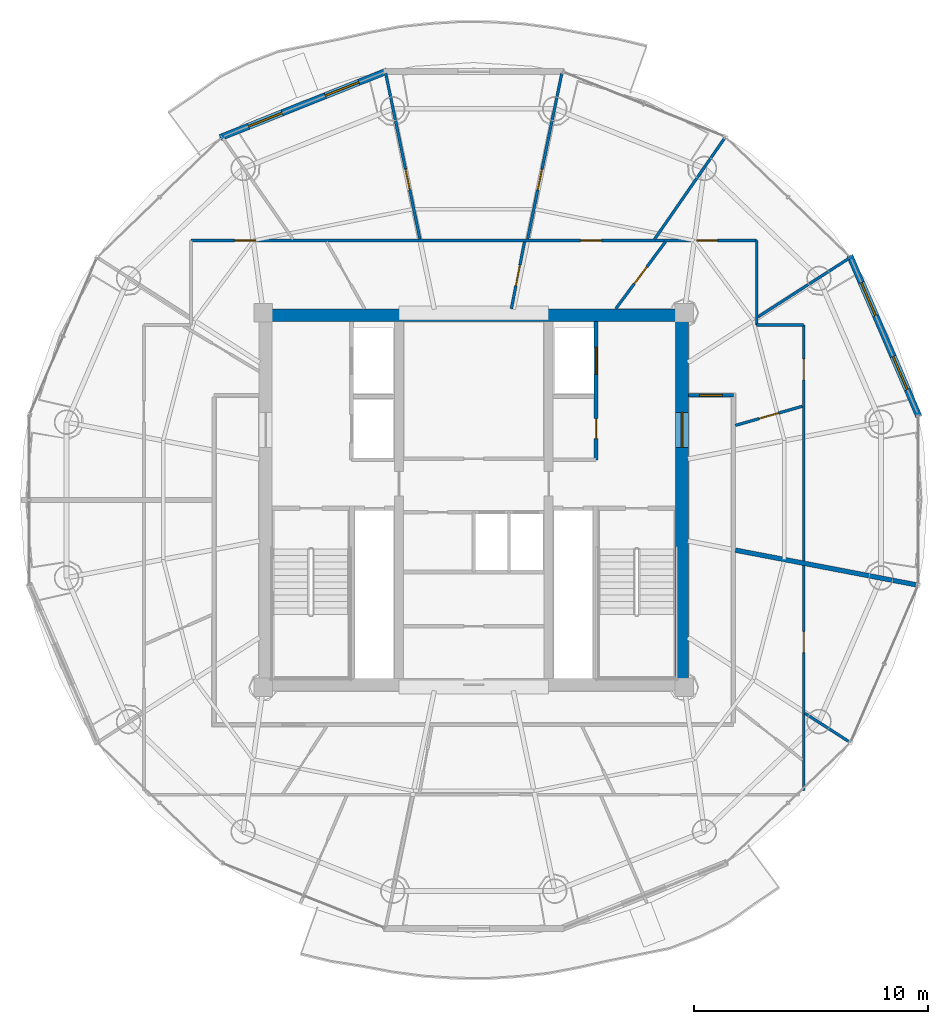
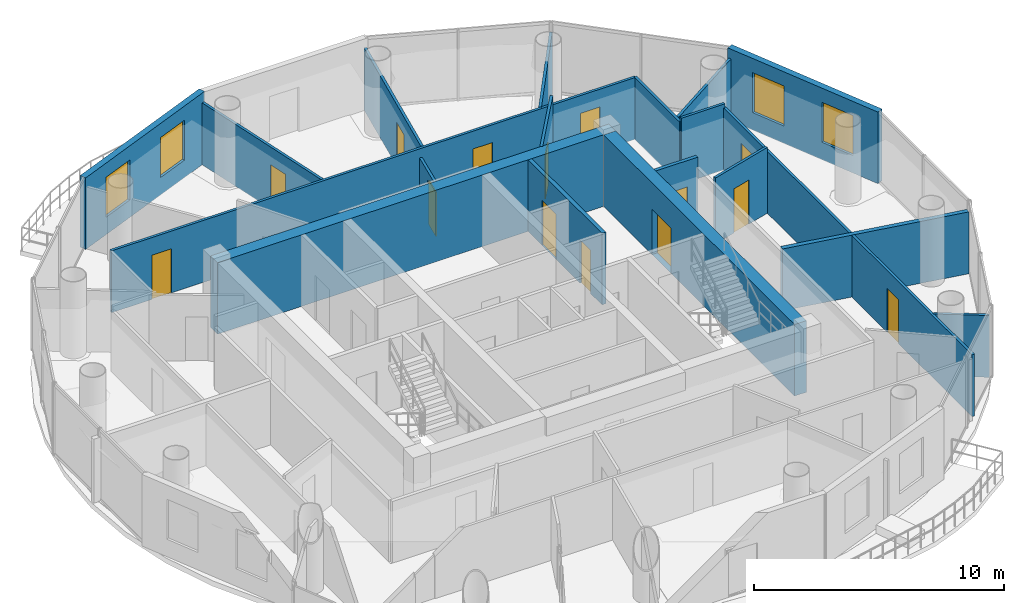
# One storey, part 19 of 24: 20 walls, 14 doors, 4 windows, 18 openings.
"""IFC4 building model written with IfcOpenShell, lengths in metres."""

from ifc_helpers import new_model, si_unit, direction, frame, frame_2d, origin, place, context, subcontext, project, spatial, rectangle, extrude, source, transform, mapped, material, layer, layer_set, type_object, element, fill, save


model = new_model("IFC4")

# Units and contexts
model_context = context("Model", 3, precision=1e-05, world=origin(), true_north=direction((-0.2419218956, 0.970295726276)))
body_context = subcontext(model_context, "Body", "Model", "MODEL_VIEW")
ifc_project = project(units=[si_unit("LENGTHUNIT", "METRE"), si_unit("AREAUNIT", "SQUARE_METRE"), si_unit("VOLUMEUNIT", "CUBIC_METRE"), si_unit("PLANEANGLEUNIT", "RADIAN"), si_unit("MASSUNIT", "GRAM", prefix="KILO")], contexts=[model_context])

# Site, building, storey
site_placement = place(None, origin())
site = spatial("IfcSite", under=ifc_project, at=site_placement, CompositionType="ELEMENT")
building_placement = place(site_placement, origin())
building = spatial("IfcBuilding", under=site, at=building_placement, Name="Cobrevalo Terracotta Tower", CompositionType="ELEMENT")
storey_placement = place(building_placement, frame((0.0, 0.0, 293.199951171875)))
storey = spatial("IfcBuildingStorey", under=building, at=storey_placement, Name="L77", CompositionType="ELEMENT", Elevation=293.199951171875)

# Wall
ifc_material_1 = material(Name="Concrete C50", Category="concrete")
ifc_layer_1 = layer(ifc_material_1, 0.550048828125)
ifc_layer_set_1 = layer_set([ifc_layer_1], Name="Concrete C50")
wall_type_1 = type_object("IfcWallType", Name="Core shear wall 550 mm Concrete C50", PredefinedType="SHEAR", material=ifc_layer_set_1)
wall_1_placement = place(storey_placement, frame((28.824951171875, 34.699951171875, 0.0), z_axis=(0.0, 0.0, 1.0), x_axis=(1.0, 0.0, 0.0)))
element("IfcWall", 1, at=wall_1_placement, inside=storey, type_object=wall_type_1, Name="L77 north core shear wall", PredefinedType="SHEAR", context=body_context, shape_type="SweptSolid", body=[
    extrude(rectangle(XDim=18.35009765625, YDim=0.550048828125, at=frame_2d((9.175048828125, 0.0))), origin(), (0.0, 0.0, 1.0), 3.489990234375),
])

# Wall, opening, door
wall_2_placement = place(storey_placement, frame((46.89990234375, 19.175048828125, 0.0), z_axis=(0.0, 0.0, 1.0), x_axis=(0.0, 1.0, 0.0)))
wall_2 = element("IfcWall", 2, at=wall_2_placement, inside=storey, type_object=wall_type_1, Name="L77 east core shear wall", PredefinedType="SHEAR", context=body_context, shape_type="SweptSolid", body=[
    extrude(rectangle(XDim=15.25, YDim=0.550048828125, at=frame_2d((7.625, 0.0))), origin(), (0.0, 0.0, 1.0), 3.489990234375),
])
opening_1_placement = place(wall_2_placement, frame((9.875, 0.0, 0.0)))
opening_1 = element("IfcOpeningElement", 3, at=opening_1_placement, cuts=wall_2, Name="Opening ID-14", PredefinedType="OPENING", context=body_context, shape_type="SweptSolid", body=[
    extrude(rectangle(XDim=1.5, YDim=2.199951171875, at=frame_2d((0.75, 1.10009765625))), frame((0.0, 0.28515625, 0.0), z_axis=(0.0, -1.0, 0.0), x_axis=(1.0, 0.0, 0.0)), (0.0, 0.0, 1.0), 0.570068359375),
])
ifc_material_2 = material(Name="Galvanized fire-rated steel", Category="steel")
door_type_1 = type_object("IfcDoorType", Name="Core cross-lobby double fire door 1500x2200 EI 90", OperationType="NOTDEFINED", PredefinedType="DOOR", material=ifc_material_2)
shared_shape_1 = source(origin(), body_context, "Body", "SweptSolid", [
    extrude(rectangle(XDim=1.5, YDim=2.199951171875, at=frame_2d((0.75, 1.10009765625))), frame((0.0, 0.02490234375, 0.0), z_axis=(0.0, -1.0, 0.0), x_axis=(1.0, 0.0, 0.0)), (0.0, 0.0, 1.0), 0.050048828125),
])
door_1_placement = place(opening_1_placement, frame((1.5, 0.0, 0.0), z_axis=(0.0, 0.0, 1.0), x_axis=(-1.0, 0.0, 0.0)))
door_1 = element("IfcDoor", 4, at=door_1_placement, inside=storey, type_object=door_type_1, Name="L77 east firefighting lobby entrance door", OperationType="DOUBLE_DOOR_SINGLE_SWING", OverallHeight=2.199951171875, OverallWidth=1.5, PredefinedType="DOOR", context=body_context, shape_type="MappedRepresentation", body=[
    mapped(shared_shape_1, transform((0.0, 0.0, 0.0), scale=1.0)),
])
fill(opening_1, door_1)

ifc_material_3 = material(Name="Gypsum board on steel stud", Category="steel")
ifc_layer_2 = layer(ifc_material_3, 0.159912109375)
ifc_layer_set_2 = layer_set([ifc_layer_2], Name="Gypsum board on steel stud")
wall_type_2 = type_object("IfcWallType", Name="Fire-rated corridor acoustic partition wall 160 mm", PredefinedType="PARTITIONING", material=ifc_layer_set_2)
wall_3_placement = place(storey_placement, frame((47.175048828125, 31.280029296875, 0.0), z_axis=(0.0, 0.0, 1.0), x_axis=(1.0, 0.0, 0.0)))
wall_3 = element("IfcWall", 5, at=wall_3_placement, inside=storey, type_object=wall_type_2, Name="L77 interior partition IW-L77-COR-EN-CAP", PredefinedType="PARTITIONING", context=body_context, shape_type="SweptSolid", body=[
    extrude(rectangle(XDim=1.929931640625, YDim=0.159912109375, at=frame_2d((0.96484375, 0.0))), origin(), (0.0, 0.0, 1.0), 3.489990234375),
])
opening_2_placement = place(wall_3_placement, frame((0.47509765625, 0.0, 0.0)))
opening_2 = element("IfcOpeningElement", 6, at=opening_2_placement, cuts=wall_3, Name="Opening ID-05", PredefinedType="OPENING", context=body_context, shape_type="SweptSolid", body=[
    extrude(rectangle(XDim=0.97998046875, YDim=2.199951171875, at=frame_2d((0.489990234375, 1.10009765625))), frame((0.0, 0.08984375, 0.0), z_axis=(0.0, -1.0, 0.0), x_axis=(1.0, 0.0, 0.0)), (0.0, 0.0, 1.0), 0.179931640625),
])
ifc_material_4 = material(Name="Solid hardwood timber", Category="wood")
door_type_2 = type_object("IfcDoorType", Name="Residence entrance fire-rated acoustic timber door 980x2200 EI 60", OperationType="NOTDEFINED", PredefinedType="DOOR", material=ifc_material_4)
shared_shape_2 = source(origin(), body_context, "Body", "SweptSolid", [
    extrude(rectangle(XDim=0.97998046875, YDim=2.199951171875, at=frame_2d((0.489990234375, 1.10009765625))), frame((0.0, 0.02490234375, 0.0), z_axis=(0.0, -1.0, 0.0), x_axis=(1.0, 0.0, 0.0)), (0.0, 0.0, 1.0), 0.050048828125),
])
door_2_placement = place(opening_2_placement, origin())
door_2 = element("IfcDoor", 7, at=door_2_placement, inside=storey, type_object=door_type_2, Name="Flat L77A fire-rated apartment entrance door", OperationType="SINGLE_SWING_RIGHT", OverallHeight=2.199951171875, OverallWidth=0.97998046875, PredefinedType="DOOR", context=body_context, shape_type="MappedRepresentation", body=[
    mapped(shared_shape_2, transform((0.0, 0.0, 0.0), scale=1.0)),
])
fill(opening_2, door_2)

# Wall, openings, doors
ifc_layer_3 = layer(ifc_material_3, 0.179931640625)
ifc_layer_set_3 = layer_set([ifc_layer_3], Name="Gypsum board on steel stud")
wall_type_3 = type_object("IfcWallType", Name="Fire-rated shaft & lobby acoustic partition wall 180 mm", PredefinedType="PARTITIONING", material=ifc_layer_set_3)
wall_4_placement = place(storey_placement, frame((43.22998046875, 28.52001953125, 0.0), z_axis=(0.0, 0.0, 1.0), x_axis=(0.0, 1.0, 0.0)))
wall_4 = element("IfcWall", 8, at=wall_4_placement, inside=storey, type_object=wall_type_3, Name="L77 interior partition IW-L77-FF2-E", PredefinedType="PARTITIONING", context=body_context, shape_type="SweptSolid", body=[
    extrude(rectangle(XDim=5.905029296875, YDim=0.179931640625, at=frame_2d((2.95263671875, 0.0))), origin(), (0.0, 0.0, 1.0), 3.489990234375),
])
opening_3_placement = place(wall_4_placement, frame((0.905029296875, 0.0, 0.0)))
opening_3 = element("IfcOpeningElement", 9, at=opening_3_placement, cuts=wall_4, Name="Opening ID-22", PredefinedType="OPENING", context=body_context, shape_type="SweptSolid", body=[
    extrude(rectangle(XDim=0.85009765625, YDim=2.10009765625, at=frame_2d((0.425048828125, 1.050048828125))), frame((0.0, 0.10009765625, 0.0), z_axis=(0.0, -1.0, 0.0), x_axis=(1.0, 0.0, 0.0)), (0.0, 0.0, 1.0), 0.199951171875),
])
opening_4_placement = place(wall_4_placement, frame((3.655029296875, 0.0, 0.0)))
opening_4 = element("IfcOpeningElement", 10, at=opening_4_placement, cuts=wall_4, Name="Opening LD-02", PredefinedType="OPENING", context=body_context, shape_type="SweptSolid", body=[
    extrude(rectangle(XDim=1.14990234375, YDim=2.199951171875, at=frame_2d((0.574951171875, 1.10009765625))), frame((0.0, 0.10009765625, 0.0), z_axis=(0.0, -1.0, 0.0), x_axis=(1.0, 0.0, 0.0)), (0.0, 0.0, 1.0), 0.199951171875),
])
ifc_material_5 = material(Name="Powder-coated steel", Category="steel")
door_type_3 = type_object("IfcDoorType", Name="Riser shaft & meter closet fire access door 850x2100 EI 60", OperationType="NOTDEFINED", PredefinedType="DOOR", material=ifc_material_5)
shared_shape_3 = source(origin(), body_context, "Body", "SweptSolid", [
    extrude(rectangle(XDim=0.85009765625, YDim=2.10009765625, at=frame_2d((0.425048828125, 1.050048828125))), frame((0.0, 0.02490234375, 0.0), z_axis=(0.0, -1.0, 0.0), x_axis=(1.0, 0.0, 0.0)), (0.0, 0.0, 1.0), 0.050048828125),
])
door_3_placement = place(opening_3_placement, frame((0.85009765625, 0.0, 0.0), z_axis=(0.0, 0.0, 1.0), x_axis=(-1.0, 0.0, 0.0)))
door_3 = element("IfcDoor", 11, at=door_3_placement, inside=storey, type_object=door_type_3, Name="L77 housekeeping store door", OperationType="SINGLE_SWING_RIGHT", OverallHeight=2.10009765625, OverallWidth=0.85009765625, PredefinedType="DOOR", context=body_context, shape_type="MappedRepresentation", body=[
    mapped(shared_shape_3, transform((0.0, 0.0, 0.0), scale=1.0)),
])
fill(opening_3, door_3)
ifc_material_6 = material(Name="Brushed stainless steel", Category="steel")
door_type_4 = type_object("IfcDoorType", Name="Firefighting lift landing bi-parting sliding door 1150x2200 EI 120", OperationType="DOUBLE_DOOR_SLIDING", PredefinedType="DOOR", material=ifc_material_6)
shared_shape_4 = source(origin(), body_context, "Body", "SweptSolid", [
    extrude(rectangle(XDim=1.14990234375, YDim=2.199951171875, at=frame_2d((0.574951171875, 1.10009765625))), frame((0.0, 0.02490234375, 0.0), z_axis=(0.0, -1.0, 0.0), x_axis=(1.0, 0.0, 0.0)), (0.0, 0.0, 1.0), 0.050048828125),
])
door_4_placement = place(opening_4_placement, origin())
door_4 = element("IfcDoor", 12, at=door_4_placement, inside=storey, type_object=door_type_4, Name="L77 lift landing door FF-2", OperationType="DOUBLE_DOOR_SLIDING", OverallHeight=2.199951171875, OverallWidth=1.14990234375, PredefinedType="DOOR", context=body_context, shape_type="MappedRepresentation", body=[
    mapped(shared_shape_4, transform((0.0, 0.0, 0.0), scale=1.0)),
])
fill(opening_4, door_4)

# Wall
ifc_material_7 = material(Name="Autoclaved aerated concrete block", Category="concrete")
ifc_layer_4 = layer(ifc_material_7, 0.199951171875)
ifc_layer_set_4 = layer_set([ifc_layer_4], Name="Autoclaved aerated concrete block")
wall_type_4 = type_object("IfcWallType", Name="Fire-rated stair, shaft & demising masonry wall 200 mm", PredefinedType="PARTITIONING", material=ifc_layer_set_4)
wall_5_placement = place(storey_placement, frame((49.18505859375, 24.655517578125, 0.0), z_axis=(0.0, 0.0, 1.0), x_axis=(0.982109889803, -0.188308694305, 0.0)))
element("IfcWall", 13, at=wall_5_placement, inside=storey, type_object=wall_type_4, Name="L77 interior partition IW-L77-DEM-1", PredefinedType="PARTITIONING", context=body_context, shape_type="SweptSolid", body=[
    extrude(rectangle(XDim=7.884033203125, YDim=0.199951171875, at=frame_2d((3.94189453125, 0.0))), origin(), (0.0, 0.0, 1.0), 3.01513671875),
])

# Wall, openings, windows
ifc_layer_5 = layer(ifc_material_7, 0.280029296875)
ifc_layer_set_5 = layer_set([ifc_layer_5], Name="Autoclaved aerated concrete block")
wall_type_5 = type_object("IfcWallType", Name="Insulated tower spandrel & pier wall 280 mm with terracotta rainscreen", PredefinedType="SOLIDWALL", material=ifc_layer_set_5)
wall_6_placement = place(storey_placement, frame((57.029296875, 30.368896484375, 0.0), z_axis=(0.0, 0.0, 1.0), x_axis=(-0.394816612978, 0.918759948037, 0.0)))
wall_6 = element("IfcWall", 14, at=wall_6_placement, inside=storey, type_object=wall_type_5, Name="L77 terracotta rainscreen pier wall S01", PredefinedType="SOLIDWALL", context=body_context, shape_type="SweptSolid", body=[
    extrude(rectangle(XDim=7.4853515625, YDim=0.280029296875, at=frame_2d((3.74267578125, 0.0))), origin(), (0.0, 0.0, 1.0), 3.489990234375),
])
opening_5_placement = place(wall_6_placement, frame((1.24609375, 0.0, 0.85009765625)))
opening_5 = element("IfcOpeningElement", 15, at=opening_5_placement, cuts=wall_6, Name="Opening WN-12", PredefinedType="OPENING", context=body_context, shape_type="SweptSolid", body=[
    extrude(rectangle(XDim=1.550048828125, YDim=1.949951171875, at=frame_2d((0.77490234375, 0.97509765625))), frame((0.0, 0.14990234375, 0.0), z_axis=(0.0, -1.0, 0.0), x_axis=(1.0, 0.0, 0.0)), (0.0, 0.0, 1.0), 0.300048828125),
])
opening_6_placement = place(wall_6_placement, frame((4.689208984375, 0.0, 0.85009765625)))
opening_6 = element("IfcOpeningElement", 16, at=opening_6_placement, cuts=wall_6, Name="Opening WN-12", PredefinedType="OPENING", context=body_context, shape_type="SweptSolid", body=[
    extrude(rectangle(XDim=1.550048828125, YDim=1.949951171875, at=frame_2d((0.77490234375, 0.97509765625))), frame((0.0, 0.14990234375, 0.0), z_axis=(0.0, -1.0, 0.0), x_axis=(1.0, 0.0, 0.0)), (0.0, 0.0, 1.0), 0.300048828125),
])
ifc_material_8 = material(Name="Solar-control low-E double glazing", Category="glass")
window_type = type_object("IfcWindowType", Name="Solar-control low-E aluminium window 1550x1950", PartitioningType="SINGLE_PANEL", PredefinedType="WINDOW", material=ifc_material_8)
shared_shape_5 = source(origin(), body_context, "Body", "SweptSolid", [
    extrude(rectangle(XDim=1.550048828125, YDim=1.949951171875, at=frame_2d((0.77490234375, 0.97509765625))), frame((0.0, 0.030029296875, 0.0), z_axis=(0.0, -1.0, 0.0), x_axis=(1.0, 0.0, 0.0)), (0.0, 0.0, 1.0), 0.06005859375),
])
window_1_placement = place(opening_5_placement, origin())
window_1 = element("IfcWindow", 17, at=window_1_placement, inside=storey, type_object=window_type, Name="L77 suite window S01A", OverallHeight=1.949951171875, OverallWidth=1.550048828125, PartitioningType="SINGLE_PANEL", PredefinedType="WINDOW", context=body_context, shape_type="MappedRepresentation", body=[
    mapped(shared_shape_5, transform((0.0, 0.0, 0.0), scale=1.0)),
])
fill(opening_5, window_1)
window_2_placement = place(opening_6_placement, origin())
window_2 = element("IfcWindow", 18, at=window_2_placement, inside=storey, type_object=window_type, Name="L77 suite window S01B", OverallHeight=1.949951171875, OverallWidth=1.550048828125, PartitioningType="SINGLE_PANEL", PredefinedType="WINDOW", context=body_context, shape_type="MappedRepresentation", body=[
    mapped(shared_shape_5, transform((0.0, 0.0, 0.0), scale=1.0)),
])
fill(opening_6, window_2)

wall_7_placement = place(storey_placement, frame((34.29541015625, 45.140869140625, 0.0), z_axis=(0.0, 0.0, 1.0), x_axis=(-0.928724272392, -0.370771123296, 0.0)))
wall_7 = element("IfcWall", 19, at=wall_7_placement, inside=storey, type_object=wall_type_5, Name="L77 terracotta rainscreen pier wall S05", PredefinedType="SOLIDWALL", context=body_context, shape_type="SweptSolid", body=[
    extrude(rectangle(XDim=7.678466796875, YDim=0.280029296875, at=frame_2d((3.83935546875, 0.0))), origin(), (0.0, 0.0, 1.0), 3.489990234375),
])
opening_7_placement = place(wall_7_placement, frame((1.298095703125, 0.0, 0.85009765625)))
opening_7 = element("IfcOpeningElement", 20, at=opening_7_placement, cuts=wall_7, Name="Opening WN-12", PredefinedType="OPENING", context=body_context, shape_type="SweptSolid", body=[
    extrude(rectangle(XDim=1.550048828125, YDim=1.949951171875, at=frame_2d((0.77490234375, 0.97509765625))), frame((0.0, 0.14990234375, 0.0), z_axis=(0.0, -1.0, 0.0), x_axis=(1.0, 0.0, 0.0)), (0.0, 0.0, 1.0), 0.300048828125),
])
opening_8_placement = place(wall_7_placement, frame((4.830078125, 0.0, 0.85009765625)))
opening_8 = element("IfcOpeningElement", 21, at=opening_8_placement, cuts=wall_7, Name="Opening WN-12", PredefinedType="OPENING", context=body_context, shape_type="SweptSolid", body=[
    extrude(rectangle(XDim=1.550048828125, YDim=1.949951171875, at=frame_2d((0.77490234375, 0.97509765625))), frame((0.0, 0.14990234375, 0.0), z_axis=(0.0, -1.0, 0.0), x_axis=(1.0, 0.0, 0.0)), (0.0, 0.0, 1.0), 0.300048828125),
])
window_3_placement = place(opening_7_placement, origin())
window_3 = element("IfcWindow", 22, at=window_3_placement, inside=storey, type_object=window_type, Name="L77 suite window S05A", OverallHeight=1.949951171875, OverallWidth=1.550048828125, PartitioningType="SINGLE_PANEL", PredefinedType="WINDOW", context=body_context, shape_type="MappedRepresentation", body=[
    mapped(shared_shape_5, transform((0.0, 0.0, 0.0), scale=1.0)),
])
fill(opening_7, window_3)
window_4_placement = place(opening_8_placement, origin())
window_4 = element("IfcWindow", 23, at=window_4_placement, inside=storey, type_object=window_type, Name="L77 suite window S05B", OverallHeight=1.949951171875, OverallWidth=1.550048828125, PartitioningType="SINGLE_PANEL", PredefinedType="WINDOW", context=body_context, shape_type="MappedRepresentation", body=[
    mapped(shared_shape_5, transform((0.0, 0.0, 0.0), scale=1.0)),
])
fill(opening_8, window_4)

# Wall, openings, doors
ifc_layer_6 = layer(ifc_material_3, 0.1201171875)
ifc_layer_set_6 = layer_set([ifc_layer_6], Name="Gypsum board on steel stud")
wall_type_6 = type_object("IfcWallType", Name="Residential internal acoustic stud partition 120 mm", PredefinedType="PARTITIONING", material=ifc_layer_set_6)
wall_8_placement = place(storey_placement, frame((25.905029296875, 37.89501953125, 0.0), z_axis=(0.0, 0.0, 1.0), x_axis=(1.0, 0.0, 0.0)))
wall_8 = element("IfcWall", 24, at=wall_8_placement, inside=storey, type_object=wall_type_6, Name="L77 interior partition IW-L77-U1-RING3_0", PredefinedType="PARTITIONING", context=body_context, shape_type="SweptSolid", body=[
    extrude(rectangle(XDim=24.18994140625, YDim=0.1201171875, at=frame_2d((12.094970703125, 0.0))), origin(), (0.0, 0.0, 1.0), 3.01513671875),
])
opening_9_placement = place(wall_8_placement, frame((21.621337890625, 0.0, 0.0)))
opening_9 = element("IfcOpeningElement", 25, at=opening_9_placement, cuts=wall_8, Name="Opening ID-12", PredefinedType="OPENING", context=body_context, shape_type="SweptSolid", body=[
    extrude(rectangle(XDim=0.89990234375, YDim=2.14990234375, at=frame_2d((0.449951171875, 1.074951171875))), frame((0.0, 0.070068359375, 0.0), z_axis=(0.0, -1.0, 0.0), x_axis=(1.0, 0.0, 0.0)), (0.0, 0.0, 1.0), 0.14013671875),
])
opening_10_placement = place(wall_8_placement, frame((16.661376953125, 0.0, 0.0)))
opening_10 = element("IfcOpeningElement", 26, at=opening_10_placement, cuts=wall_8, Name="Opening ID-12", PredefinedType="OPENING", context=body_context, shape_type="SweptSolid", body=[
    extrude(rectangle(XDim=0.89990234375, YDim=2.14990234375, at=frame_2d((0.449951171875, 1.074951171875))), frame((0.0, 0.070068359375, 0.0), z_axis=(0.0, -1.0, 0.0), x_axis=(1.0, 0.0, 0.0)), (0.0, 0.0, 1.0), 0.14013671875),
])
opening_11_placement = place(wall_8_placement, frame((1.8720703125, 0.0, 0.0)))
opening_11 = element("IfcOpeningElement", 27, at=opening_11_placement, cuts=wall_8, Name="Opening ID-12", PredefinedType="OPENING", context=body_context, shape_type="SweptSolid", body=[
    extrude(rectangle(XDim=0.89990234375, YDim=2.14990234375, at=frame_2d((0.449951171875, 1.074951171875))), frame((0.0, 0.070068359375, 0.0), z_axis=(0.0, -1.0, 0.0), x_axis=(1.0, 0.0, 0.0)), (0.0, 0.0, 1.0), 0.14013671875),
])
ifc_material_9 = material(Name="Engineered timber", Category="wood")
door_type_5 = type_object("IfcDoorType", Name="Internal residence & suite timber door 900x2150", OperationType="NOTDEFINED", PredefinedType="DOOR", material=ifc_material_9)
shared_shape_6 = source(origin(), body_context, "Body", "SweptSolid", [
    extrude(rectangle(XDim=0.89990234375, YDim=2.14990234375, at=frame_2d((0.449951171875, 1.074951171875))), frame((0.0, 0.02490234375, 0.0), z_axis=(0.0, -1.0, 0.0), x_axis=(1.0, 0.0, 0.0)), (0.0, 0.0, 1.0), 0.050048828125),
])
door_5_placement = place(opening_9_placement, origin())
door_5 = element("IfcDoor", 28, at=door_5_placement, inside=storey, type_object=door_type_5, Name="Flat L77A Master Bedroom internal door", OperationType="SINGLE_SWING_LEFT", OverallHeight=2.14990234375, OverallWidth=0.89990234375, PredefinedType="DOOR", context=body_context, shape_type="MappedRepresentation", body=[
    mapped(shared_shape_6, transform((0.0, 0.0, 0.0), scale=1.0)),
])
fill(opening_9, door_5)
door_6_placement = place(opening_10_placement, origin())
door_6 = element("IfcDoor", 29, at=door_6_placement, inside=storey, type_object=door_type_5, Name="Flat L77A Principal Guest Bedroom internal door", OperationType="SINGLE_SWING_RIGHT", OverallHeight=2.14990234375, OverallWidth=0.89990234375, PredefinedType="DOOR", context=body_context, shape_type="MappedRepresentation", body=[
    mapped(shared_shape_6, transform((0.0, 0.0, 0.0), scale=1.0)),
])
fill(opening_10, door_6)
door_7_placement = place(opening_11_placement, origin())
door_7 = element("IfcDoor", 30, at=door_7_placement, inside=storey, type_object=door_type_5, Name="Flat L77A Penthouse Family Lounge internal door", OperationType="SINGLE_SWING_LEFT", OverallHeight=2.14990234375, OverallWidth=0.89990234375, PredefinedType="DOOR", context=body_context, shape_type="MappedRepresentation", body=[
    mapped(shared_shape_6, transform((0.0, 0.0, 0.0), scale=1.0)),
])
fill(opening_11, door_7)

# Walls
wall_9_placement = place(storey_placement, frame((50.094970703125, 37.89501953125, 0.0), z_axis=(0.0, 0.0, 1.0), x_axis=(0.0, -1.0, 0.0)))
element("IfcWall", 31, at=wall_9_placement, inside=storey, type_object=wall_type_6, Name="L77 interior partition IW-L77-U1-RING4_0", PredefinedType="PARTITIONING", context=body_context, shape_type="SweptSolid", body=[
    extrude(rectangle(XDim=3.614990234375, YDim=0.1201171875, at=frame_2d((1.8076171875, 0.0))), origin(), (0.0, 0.0, 1.0), 3.01513671875),
])
wall_10_placement = place(storey_placement, frame((50.094970703125, 34.280029296875, 0.0), z_axis=(0.0, 0.0, 1.0), x_axis=(1.0, 0.0, 0.0)))
element("IfcWall", 32, at=wall_10_placement, inside=storey, type_object=wall_type_6, Name="L77 interior partition IW-L77-U1-RING5_0", PredefinedType="PARTITIONING", context=body_context, shape_type="SweptSolid", body=[
    extrude(rectangle(XDim=2.010009765625, YDim=0.1201171875, at=frame_2d((1.0048828125, 0.0))), origin(), (0.0, 0.0, 1.0), 3.208984375),
])

# Wall, opening, door
wall_11_placement = place(storey_placement, frame((52.10498046875, 34.280029296875, 0.0), z_axis=(0.0, 0.0, 1.0), x_axis=(0.0, -1.0, 0.0)))
wall_11 = element("IfcWall", 33, at=wall_11_placement, inside=storey, type_object=wall_type_6, Name="L77 interior partition IW-L77-U1-RING6_0", PredefinedType="PARTITIONING", context=body_context, shape_type="SweptSolid", body=[
    extrude(rectangle(XDim=10.08251953125, YDim=0.1201171875, at=frame_2d((5.041259765625, 0.0))), origin(), (0.0, 0.0, 1.0), 3.01513671875),
])
opening_12_placement = place(wall_11_placement, frame((1.443603515625, 0.0, 0.0)))
opening_12 = element("IfcOpeningElement", 34, at=opening_12_placement, cuts=wall_11, Name="Opening ID-12", PredefinedType="OPENING", context=body_context, shape_type="SweptSolid", body=[
    extrude(rectangle(XDim=0.89990234375, YDim=2.14990234375, at=frame_2d((0.449951171875, 1.074951171875))), frame((0.0, 0.070068359375, 0.0), z_axis=(0.0, -1.0, 0.0), x_axis=(1.0, 0.0, 0.0)), (0.0, 0.0, 1.0), 0.14013671875),
])
door_8_placement = place(opening_12_placement, origin())
door_8 = element("IfcDoor", 35, at=door_8_placement, inside=storey, type_object=door_type_5, Name="Flat L77A Living and Dining Room internal door", OperationType="SINGLE_SWING_RIGHT", OverallHeight=2.14990234375, OverallWidth=0.89990234375, PredefinedType="DOOR", context=body_context, shape_type="MappedRepresentation", body=[
    mapped(shared_shape_6, transform((0.0, 0.0, 0.0), scale=1.0)),
])
fill(opening_12, door_8)

# Walls
wall_12_placement = place(storey_placement, frame((50.147216796875, 34.62353515625, 0.0), z_axis=(0.0, 0.0, 1.0), x_axis=(0.840694066929, 0.541510374628, 0.0)))
element("IfcWall", 36, at=wall_12_placement, inside=storey, type_object=wall_type_6, Name="L77 interior partition IW-L77-U1-ORAD1", PredefinedType="PARTITIONING", context=body_context, shape_type="SweptSolid", body=[
    extrude(rectangle(XDim=4.637451171875, YDim=0.1201171875, at=frame_2d((2.31884765625, 0.0))), origin(), (0.0, 0.0, 1.0), 3.01513671875),
])
wall_13_placement = place(storey_placement, frame((45.726318359375, 37.946044921875, 0.0), z_axis=(0.0, 0.0, 1.0), x_axis=(0.569678410446, 0.821867695357, 0.0)))
element("IfcWall", 37, at=wall_13_placement, inside=storey, type_object=wall_type_6, Name="L77 interior partition IW-L77-U1-ORAD2", PredefinedType="PARTITIONING", context=body_context, shape_type="SweptSolid", body=[
    extrude(rectangle(XDim=5.256591796875, YDim=0.1201171875, at=frame_2d((2.62841796875, 0.0))), origin(), (0.0, 0.0, 1.0), 3.01513671875),
])

# Wall, opening, door
wall_14_placement = place(storey_placement, frame((40.302001953125, 37.955810546875, 0.0), z_axis=(0.0, 0.0, 1.0), x_axis=(0.20211361456, 0.979362081566, 0.0)))
wall_14 = element("IfcWall", 38, at=wall_14_placement, inside=storey, type_object=wall_type_6, Name="L77 interior partition IW-L77-U1-ORAD3M1", PredefinedType="PARTITIONING", context=body_context, shape_type="SweptSolid", body=[
    extrude(rectangle(XDim=7.23681640625, YDim=0.1201171875, at=frame_2d((3.618408203125, 0.0))), origin(), (0.0, 0.0, 1.0), 3.01513671875),
])
opening_13_placement = place(wall_14_placement, frame((2.154296875, 0.0, 0.0)))
opening_13 = element("IfcOpeningElement", 39, at=opening_13_placement, cuts=wall_14, Name="Opening ID-12", PredefinedType="OPENING", context=body_context, shape_type="SweptSolid", body=[
    extrude(rectangle(XDim=0.89990234375, YDim=2.14990234375, at=frame_2d((0.449951171875, 1.074951171875))), frame((0.0, 0.070068359375, 0.0), z_axis=(0.0, -1.0, 0.0), x_axis=(1.0, 0.0, 0.0)), (0.0, 0.0, 1.0), 0.14013671875),
])
door_9_placement = place(opening_13_placement, origin())
door_9 = element("IfcDoor", 40, at=door_9_placement, inside=storey, type_object=door_type_5, Name="Flat L77A Principal Guest Bedroom internal door", OperationType="SINGLE_SWING_LEFT", OverallHeight=2.14990234375, OverallWidth=0.89990234375, PredefinedType="DOOR", context=body_context, shape_type="MappedRepresentation", body=[
    mapped(shared_shape_6, transform((0.0, 0.0, 0.0), scale=1.0)),
])
fill(opening_13, door_9)

wall_15_placement = place(storey_placement, frame((35.697998046875, 37.955810546875, 0.0), z_axis=(0.0, 0.0, 1.0), x_axis=(-0.20211361456, 0.979362081566, 0.0)))
wall_15 = element("IfcWall", 41, at=wall_15_placement, inside=storey, type_object=wall_type_6, Name="L77 interior partition IW-L77-U1-ORAD3", PredefinedType="PARTITIONING", context=body_context, shape_type="SweptSolid", body=[
    extrude(rectangle(XDim=7.23681640625, YDim=0.1201171875, at=frame_2d((3.618408203125, 0.0))), origin(), (0.0, 0.0, 1.0), 3.01513671875),
])
opening_14_placement = place(wall_15_placement, frame((2.1533203125, 0.0, 0.0)))
opening_14 = element("IfcOpeningElement", 42, at=opening_14_placement, cuts=wall_15, Name="Opening ID-12", PredefinedType="OPENING", context=body_context, shape_type="SweptSolid", body=[
    extrude(rectangle(XDim=0.89990234375, YDim=2.14990234375, at=frame_2d((0.449951171875, 1.074951171875))), frame((0.0, 0.070068359375, 0.0), z_axis=(0.0, -1.0, 0.0), x_axis=(1.0, 0.0, 0.0)), (0.0, 0.0, 1.0), 0.14013671875),
])
door_10_placement = place(opening_14_placement, origin())
door_10 = element("IfcDoor", 43, at=door_10_placement, inside=storey, type_object=door_type_5, Name="Flat L77A Principal Guest Bedroom internal door", OperationType="SINGLE_SWING_RIGHT", OverallHeight=2.14990234375, OverallWidth=0.89990234375, PredefinedType="DOOR", context=body_context, shape_type="MappedRepresentation", body=[
    mapped(shared_shape_6, transform((0.0, 0.0, 0.0), scale=1.0)),
])
fill(opening_14, door_10)

wall_16_placement = place(storey_placement, frame((49.18505859375, 29.98974609375, 0.0), z_axis=(0.0, 0.0, 1.0), x_axis=(0.961663207035, 0.274233251511, 0.0)))
wall_16 = element("IfcWall", 44, at=wall_16_placement, inside=storey, type_object=wall_type_6, Name="L77 interior partition IW-L77-U1-IRAD1", PredefinedType="PARTITIONING", context=body_context, shape_type="SweptSolid", body=[
    extrude(rectangle(XDim=2.974365234375, YDim=0.1201171875, at=frame_2d((1.4873046875, 0.0))), origin(), (0.0, 0.0, 1.0), 3.208984375),
])
opening_15_placement = place(wall_16_placement, frame((1.05712890625, 0.0, 0.0)))
opening_15 = element("IfcOpeningElement", 45, at=opening_15_placement, cuts=wall_16, Name="Opening ID-19", PredefinedType="OPENING", context=body_context, shape_type="SweptSolid", body=[
    extrude(rectangle(XDim=0.860107421875, YDim=2.14990234375, at=frame_2d((0.43017578125, 1.074951171875))), frame((0.0, 0.070068359375, 0.0), z_axis=(0.0, -1.0, 0.0), x_axis=(1.0, 0.0, 0.0)), (0.0, 0.0, 1.0), 0.14013671875),
])
ifc_material_10 = material(Name="Moisture-sealed timber", Category="wood")
door_type_6 = type_object("IfcDoorType", Name="Suite bathroom internal timber door 860x2150", OperationType="NOTDEFINED", PredefinedType="DOOR", material=ifc_material_10)
shared_shape_7 = source(origin(), body_context, "Body", "SweptSolid", [
    extrude(rectangle(XDim=0.860107421875, YDim=2.14990234375, at=frame_2d((0.43017578125, 1.074951171875))), frame((0.0, 0.02490234375, 0.0), z_axis=(0.0, -1.0, 0.0), x_axis=(1.0, 0.0, 0.0)), (0.0, 0.0, 1.0), 0.050048828125),
])
door_11_placement = place(opening_15_placement, frame((0.860107421875, 0.0, 0.0), z_axis=(0.0, 0.0, 1.0), x_axis=(-1.0, 0.0, 0.0)))
door_11 = element("IfcDoor", 46, at=door_11_placement, inside=storey, type_object=door_type_6, Name="Flat L77A Primary Bathroom internal door", OperationType="SINGLE_SWING_LEFT", OverallHeight=2.14990234375, OverallWidth=0.860107421875, PredefinedType="DOOR", context=body_context, shape_type="MappedRepresentation", body=[
    mapped(shared_shape_7, transform((0.0, 0.0, 0.0), scale=1.0)),
])
fill(opening_15, door_11)

wall_17_placement = place(storey_placement, frame((44.0703125, 34.9765625, 0.0), z_axis=(0.0, 0.0, 1.0), x_axis=(0.596034582173, 0.802958764106, 0.0)))
wall_17 = element("IfcWall", 47, at=wall_17_placement, inside=storey, type_object=wall_type_6, Name="L77 interior partition IW-L77-U1-IRAD2", PredefinedType="PARTITIONING", context=body_context, shape_type="SweptSolid", body=[
    extrude(rectangle(XDim=3.572509765625, YDim=0.1201171875, at=frame_2d((1.7861328125, 0.0))), origin(), (0.0, 0.0, 1.0), 3.489990234375),
])
opening_16_placement = place(wall_17_placement, frame((1.33642578125, 0.0, 0.0)))
opening_16 = element("IfcOpeningElement", 48, at=opening_16_placement, cuts=wall_17, Name="Opening ID-12", PredefinedType="OPENING", context=body_context, shape_type="SweptSolid", body=[
    extrude(rectangle(XDim=0.89990234375, YDim=2.14990234375, at=frame_2d((0.449951171875, 1.074951171875))), frame((0.0, 0.070068359375, 0.0), z_axis=(0.0, -1.0, 0.0), x_axis=(1.0, 0.0, 0.0)), (0.0, 0.0, 1.0), 0.14013671875),
])
door_12_placement = place(opening_16_placement, origin())
door_12 = element("IfcDoor", 49, at=door_12_placement, inside=storey, type_object=door_type_5, Name="Flat L77A Kitchen internal door", OperationType="SINGLE_SWING_LEFT", OverallHeight=2.14990234375, OverallWidth=0.89990234375, PredefinedType="DOOR", context=body_context, shape_type="MappedRepresentation", body=[
    mapped(shared_shape_6, transform((0.0, 0.0, 0.0), scale=1.0)),
])
fill(opening_16, door_12)

wall_18_placement = place(storey_placement, frame((39.606689453125, 34.97705078125, 0.0), z_axis=(0.0, 0.0, 1.0), x_axis=(0.192841890083, 0.981229843324, 0.0)))
wall_18 = element("IfcWall", 50, at=wall_18_placement, inside=storey, type_object=wall_type_6, Name="L77 interior partition IW-L77-U1-IRAD3", PredefinedType="PARTITIONING", context=body_context, shape_type="SweptSolid", body=[
    extrude(rectangle(XDim=2.911865234375, YDim=0.1201171875, at=frame_2d((1.4560546875, 0.0))), origin(), (0.0, 0.0, 1.0), 2.574951171875),
])
opening_17_placement = place(wall_18_placement, frame((1.005859375, 0.0, 0.0)))
opening_17 = element("IfcOpeningElement", 51, at=opening_17_placement, cuts=wall_18, Name="Opening ID-12", PredefinedType="OPENING", context=body_context, shape_type="SweptSolid", body=[
    extrude(rectangle(XDim=0.89990234375, YDim=2.14990234375, at=frame_2d((0.449951171875, 1.074951171875))), frame((0.0, 0.070068359375, 0.0), z_axis=(0.0, -1.0, 0.0), x_axis=(1.0, 0.0, 0.0)), (0.0, 0.0, 1.0), 0.14013671875),
])
door_13_placement = place(opening_17_placement, origin())
door_13 = element("IfcDoor", 52, at=door_13_placement, inside=storey, type_object=door_type_5, Name="Flat L77A Utility Closet internal door", OperationType="SINGLE_SWING_RIGHT", OverallHeight=2.14990234375, OverallWidth=0.89990234375, PredefinedType="DOOR", context=body_context, shape_type="MappedRepresentation", body=[
    mapped(shared_shape_6, transform((0.0, 0.0, 0.0), scale=1.0)),
])
fill(opening_17, door_13)

wall_19_placement = place(storey_placement, frame((52.10498046875, 23.99365234375, 0.0), z_axis=(0.0, 0.0, 1.0), x_axis=(0.0, -1.0, 0.0)))
wall_19 = element("IfcWall", 53, at=wall_19_placement, inside=storey, type_object=wall_type_6, Name="L77 interior partition IW-L77-U2-RING2_0", PredefinedType="PARTITIONING", context=body_context, shape_type="SweptSolid", body=[
    extrude(rectangle(XDim=9.60546875, YDim=0.1201171875, at=frame_2d((4.802734375, 0.0))), origin(), (0.0, 0.0, 1.0), 3.01513671875),
])
opening_18_placement = place(wall_19_placement, frame((2.819091796875, 0.0, 0.0)))
opening_18 = element("IfcOpeningElement", 54, at=opening_18_placement, cuts=wall_19, Name="Opening ID-12", PredefinedType="OPENING", context=body_context, shape_type="SweptSolid", body=[
    extrude(rectangle(XDim=0.89990234375, YDim=2.14990234375, at=frame_2d((0.449951171875, 1.074951171875))), frame((0.0, 0.070068359375, 0.0), z_axis=(0.0, -1.0, 0.0), x_axis=(1.0, 0.0, 0.0)), (0.0, 0.0, 1.0), 0.14013671875),
])
door_14_placement = place(opening_18_placement, origin())
door_14 = element("IfcDoor", 55, at=door_14_placement, inside=storey, type_object=door_type_5, Name="Flat L77B Private Cinema Room internal door", OperationType="SINGLE_SWING_RIGHT", OverallHeight=2.14990234375, OverallWidth=0.89990234375, PredefinedType="DOOR", context=body_context, shape_type="MappedRepresentation", body=[
    mapped(shared_shape_6, transform((0.0, 0.0, 0.0), scale=1.0)),
])
fill(opening_18, door_14)

# Wall
wall_20_placement = place(storey_placement, frame((52.1572265625, 17.681884765625, 0.0), z_axis=(0.0, 0.0, 1.0), x_axis=(0.840690872836, -0.541515333421, 0.0)))
element("IfcWall", 56, at=wall_20_placement, inside=storey, type_object=wall_type_6, Name="L77 interior partition IW-L77-U2-ORAD5", PredefinedType="PARTITIONING", context=body_context, shape_type="SweptSolid", body=[
    extrude(rectangle(XDim=2.24658203125, YDim=0.1201171875, at=frame_2d((1.123291015625, 0.0))), origin(), (0.0, 0.0, 1.0), 3.01513671875),
])

save(model, "model.ifc")
